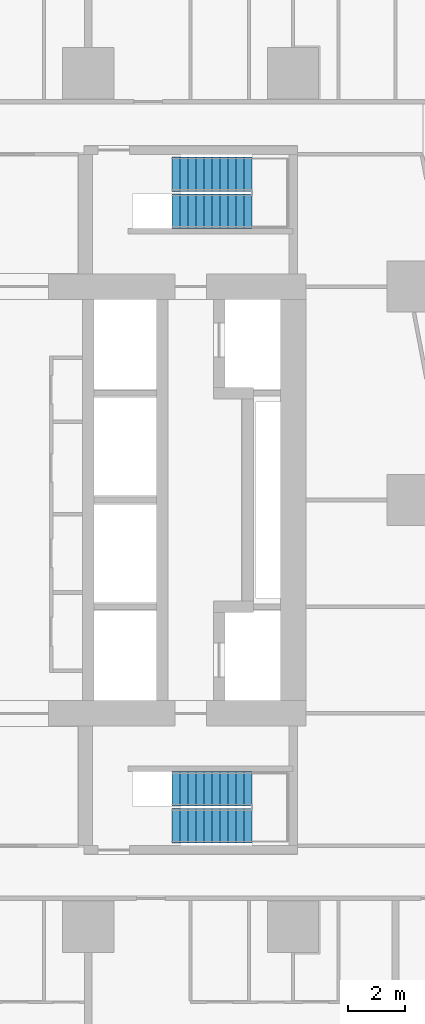
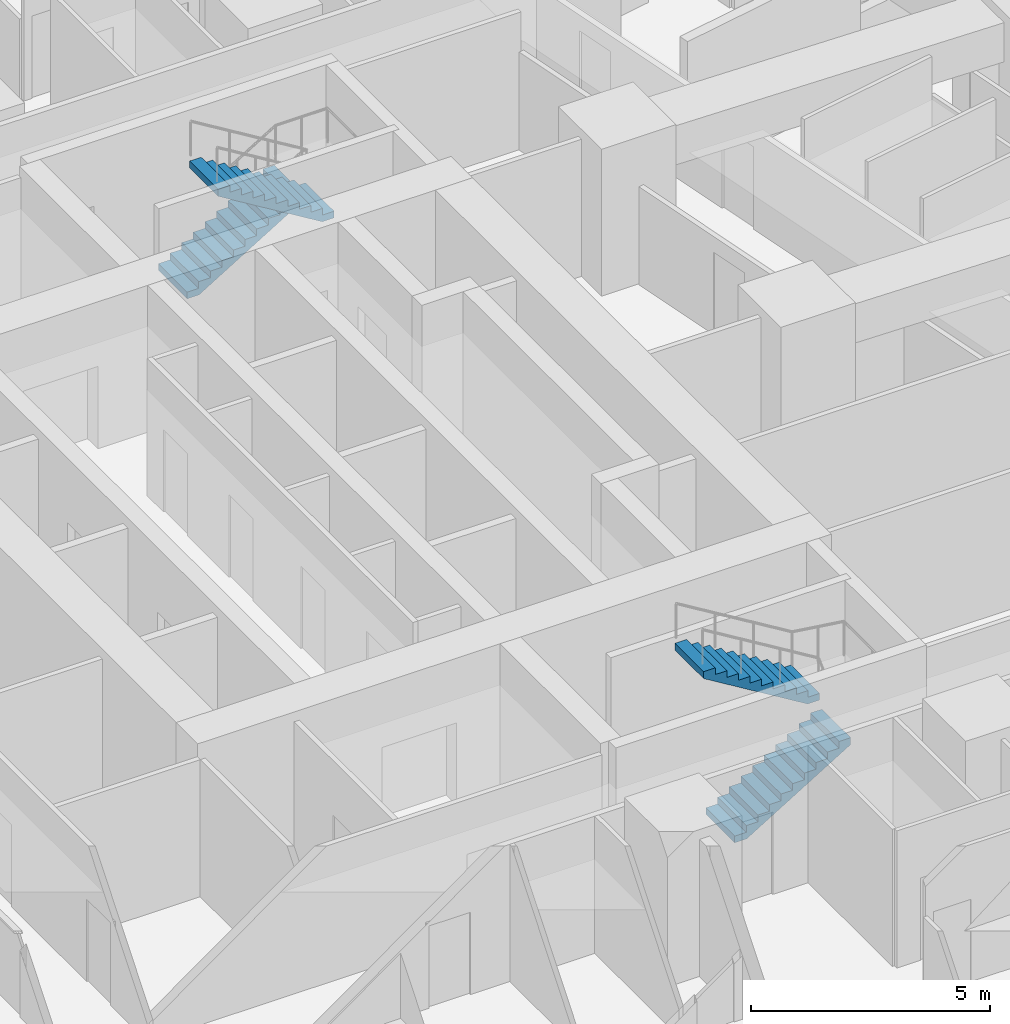
# One storey, part 16 of 18: 4 stair flights, 2 elements without a shape of their own.
"""IFC4 building model written with IfcOpenShell, lengths in metres."""

from ifc_helpers import new_model, si_unit, direction, frame, origin, place, context, subcontext, project, spatial, triangles, material, type_object, element, aggregate, save


model = new_model("IFC4")

# Units and contexts
model_context = context("Model", 3, precision=1e-05, world=origin(), true_north=direction((0.0, 1.0)))
body_context = subcontext(model_context, "Body", "Model", "MODEL_VIEW")
ifc_project = project(units=[si_unit("LENGTHUNIT", "METRE"), si_unit("AREAUNIT", "SQUARE_METRE"), si_unit("VOLUMEUNIT", "CUBIC_METRE"), si_unit("PLANEANGLEUNIT", "RADIAN"), si_unit("MASSUNIT", "GRAM", prefix="KILO")], contexts=[model_context])

# Site, building, storey
site_placement = place(None, origin())
site = spatial("IfcSite", under=ifc_project, at=site_placement, CompositionType="ELEMENT")
building_placement = place(site_placement, origin())
building = spatial("IfcBuilding", under=site, at=building_placement, Name="Sheger Commons Tower", CompositionType="ELEMENT")
storey_placement = place(building_placement, frame((0.0, 0.0, 20.0)))
storey = spatial("IfcBuildingStorey", under=building, at=storey_placement, Name="L04", CompositionType="ELEMENT", Elevation=20.0)

# Stair, stair flights
ifc_material_1 = material(Name="Concrete C35/45", Category="concrete")
stair_type = type_object("IfcStairType", Name="HALF-TURN STAIR 1200 RISE 3750", PredefinedType="HALF_TURN_STAIR", material=ifc_material_1)
stair_1_placement = place(storey_placement, origin())
stair_1 = element("IfcStair", 1, at=stair_1_placement, inside=storey, type_object=stair_type, Name="Stair S1 L04", PredefinedType="HALF_TURN_STAIR")
ifc_material_2 = material(Name="Concrete C35/45", Category="concrete")
stair_flight_type = type_object("IfcStairFlightType", Name="STAIR FLIGHT 1200 11 RISERS OF 170", PredefinedType="STRAIGHT", material=ifc_material_2)
stair_flight_1_placement = place(storey_placement, frame((24.550048828125, 11.050048828125, 0.0), z_axis=(0.0, 0.0, 1.0), x_axis=(1.0, 0.0, 0.0)))
stair_flight_1 = element("IfcStairFlight", 2, at=stair_flight_1_placement, type_object=stair_flight_type, Name="S1 flight 1", NumberOfRisers=11, NumberOfTreads=10, PredefinedType="STRAIGHT", RiserHeight=0.170454545, TreadLength=0.28, context=body_context, shape_type="Tessellation", body=[
    triangles([(0.0, 0.5999755859375, 0.0), (0.0, 0.5999755859375, 0.17041015625), (0.280029296875, 0.5999755859375, 0.17041015625), (0.280029296875, 0.5999755859375, 0.3408203125), (0.56005859375, 0.5999755859375, 0.3408203125), (0.56005859375, 0.5999755859375, 0.511474609375), (0.840087890625, 0.5999755859375, 0.511474609375), (0.840087890625, 0.5999755859375, 0.681884765625), (1.1201171875, 0.5999755859375, 0.681884765625), (1.1201171875, 0.5999755859375, 0.852294921875), (1.39990234375, 0.5999755859375, 0.852294921875), (1.39990234375, 0.5999755859375, 1.022705078125), (1.679931640625, 0.5999755859375, 1.022705078125), (1.679931640625, 0.5999755859375, 1.193115234375), (1.9599609375, 0.5999755859375, 1.193115234375), (1.9599609375, 0.5999755859375, 1.363525390625), (2.239990234375, 0.5999755859375, 1.363525390625), (2.239990234375, 0.5999755859375, 1.5341796875), (2.52001953125, 0.5999755859375, 1.5341796875), (2.52001953125, 0.5999755859375, 1.70458984375), (2.800048828125, 0.5999755859375, 1.70458984375), (2.800048828125, 0.5999755859375, 1.529052734375), (0.288330078125, 0.5999755859375, 0.0), (0.0, -0.5999755859375, 0.0), (0.0, -0.5999755859375, 0.17041015625), (0.280029296875, -0.5999755859375, 0.17041015625), (0.280029296875, -0.5999755859375, 0.3408203125), (0.56005859375, -0.5999755859375, 0.3408203125), (0.56005859375, -0.5999755859375, 0.511474609375), (0.840087890625, -0.5999755859375, 0.511474609375), (0.840087890625, -0.5999755859375, 0.681884765625), (1.1201171875, -0.5999755859375, 0.681884765625), (1.1201171875, -0.5999755859375, 0.852294921875), (1.39990234375, -0.5999755859375, 0.852294921875), (1.39990234375, -0.5999755859375, 1.022705078125), (1.679931640625, -0.5999755859375, 1.022705078125), (1.679931640625, -0.5999755859375, 1.193115234375), (1.9599609375, -0.5999755859375, 1.193115234375), (1.9599609375, -0.5999755859375, 1.363525390625), (2.239990234375, -0.5999755859375, 1.363525390625), (2.239990234375, -0.5999755859375, 1.5341796875), (2.52001953125, -0.5999755859375, 1.5341796875), (2.52001953125, -0.5999755859375, 1.70458984375), (2.800048828125, -0.5999755859375, 1.70458984375), (2.800048828125, -0.5999755859375, 1.529052734375), (0.288330078125, -0.5999755859375, 0.0), (0.0, 0.0, 0.085205078125), (0.1400146484375, 0.0, 0.17041015625), (0.280029296875, 0.0, 0.255615234375), (0.4200439453125, 0.0, 0.3408203125), (0.56005859375, 0.0, 0.4261474609375), (0.7000732421875, 0.0, 0.511474609375), (0.840087890625, 0.0, 0.5966796875), (0.9801025390625, 0.0, 0.681884765625), (1.1201171875, 0.0, 0.76708984375), (1.260009765625, 0.0, 0.852294921875), (1.39990234375, 0.0, 0.9375), (1.5399169921875, 0.0, 1.022705078125), (1.679931640625, 0.0, 1.10791015625), (1.8199462890625, 0.0, 1.193115234375), (1.9599609375, 0.0, 1.2783203125), (2.0999755859375, 0.0, 1.363525390625), (2.239990234375, 0.0, 1.4488525390625), (2.3800048828125, 0.0, 1.5341796875), (2.52001953125, 0.0, 1.619384765625), (2.6600341796875, 0.0, 1.70458984375), (2.800048828125, 0.0, 1.6168212890625), (1.544189453125, 0.0, 0.7645263671875), (0.1441650390625, 0.0, 0.0)], [[1, 22, 23], [24, 46, 45], [22, 20, 21], [45, 44, 43], [22, 19, 20], [45, 43, 42], [22, 18, 19], [45, 42, 41], [22, 17, 18], [45, 41, 40], [17, 15, 16], [40, 39, 38], [22, 15, 17], [45, 40, 38], [15, 13, 14], [38, 37, 36], [22, 13, 15], [45, 38, 36], [13, 11, 12], [36, 35, 34], [22, 11, 13], [45, 36, 34], [11, 9, 10], [34, 33, 32], [22, 9, 11], [45, 34, 32], [9, 7, 8], [32, 31, 30], [22, 7, 9], [45, 32, 30], [7, 5, 6], [30, 29, 28], [22, 5, 7], [45, 30, 28], [5, 3, 4], [28, 27, 26], [22, 3, 5], [45, 28, 26], [1, 3, 22], [24, 45, 26], [3, 1, 2], [26, 25, 24], [1, 47, 2], [2, 47, 25], [25, 47, 24], [24, 47, 1], [2, 48, 3], [3, 48, 26], [26, 48, 25], [25, 48, 2], [3, 49, 4], [4, 49, 27], [27, 49, 26], [26, 49, 3], [4, 50, 5], [5, 50, 28], [28, 50, 27], [27, 50, 4], [5, 51, 6], [6, 51, 29], [29, 51, 28], [28, 51, 5], [6, 52, 7], [7, 52, 30], [30, 52, 29], [29, 52, 6], [7, 53, 8], [8, 53, 31], [31, 53, 30], [30, 53, 7], [8, 54, 9], [9, 54, 32], [32, 54, 31], [31, 54, 8], [9, 55, 10], [10, 55, 33], [33, 55, 32], [32, 55, 9], [10, 56, 11], [11, 56, 34], [34, 56, 33], [33, 56, 10], [11, 57, 12], [12, 57, 35], [35, 57, 34], [34, 57, 11], [12, 58, 13], [13, 58, 36], [36, 58, 35], [35, 58, 12], [13, 59, 14], [14, 59, 37], [37, 59, 36], [36, 59, 13], [14, 60, 15], [15, 60, 38], [38, 60, 37], [37, 60, 14], [15, 61, 16], [16, 61, 39], [39, 61, 38], [38, 61, 15], [16, 62, 17], [17, 62, 40], [40, 62, 39], [39, 62, 16], [17, 63, 18], [18, 63, 41], [41, 63, 40], [40, 63, 17], [18, 64, 19], [19, 64, 42], [42, 64, 41], [41, 64, 18], [19, 65, 20], [20, 65, 43], [43, 65, 42], [42, 65, 19], [20, 66, 21], [21, 66, 44], [44, 66, 43], [43, 66, 20], [21, 67, 22], [22, 67, 45], [45, 67, 44], [44, 67, 21], [22, 68, 23], [23, 68, 46], [46, 68, 45], [45, 68, 22], [23, 69, 1], [1, 69, 24], [24, 69, 46], [46, 69, 23]], closed=True),
])
stair_flight_2_placement = place(storey_placement, frame((27.35009765625, 12.35009765625, 1.875), z_axis=(0.0, 0.0, 1.0), x_axis=(-1.0, 0.0, 0.0)))
stair_flight_2 = element("IfcStairFlight", 3, at=stair_flight_2_placement, type_object=stair_flight_type, Name="S1 flight 2", NumberOfRisers=11, NumberOfTreads=10, PredefinedType="STRAIGHT", RiserHeight=0.170454545, TreadLength=0.28, context=body_context, shape_type="Tessellation", body=[
    triangles([(0.0, 0.5999755859375, 0.0), (0.0, 0.5999755859375, 0.17041015625), (0.280029296875, 0.5999755859375, 0.17041015625), (0.280029296875, 0.5999755859375, 0.3408203125), (0.56005859375, 0.5999755859375, 0.3408203125), (0.56005859375, 0.5999755859375, 0.511474609375), (0.840087890625, 0.5999755859375, 0.511474609375), (0.840087890625, 0.5999755859375, 0.681884765625), (1.1201171875, 0.5999755859375, 0.681884765625), (1.1201171875, 0.5999755859375, 0.852294921875), (1.39990234375, 0.5999755859375, 0.852294921875), (1.39990234375, 0.5999755859375, 1.022705078125), (1.679931640625, 0.5999755859375, 1.022705078125), (1.679931640625, 0.5999755859375, 1.193115234375), (1.9599609375, 0.5999755859375, 1.193115234375), (1.9599609375, 0.5999755859375, 1.363525390625), (2.239990234375, 0.5999755859375, 1.363525390625), (2.239990234375, 0.5999755859375, 1.5341796875), (2.52001953125, 0.5999755859375, 1.5341796875), (2.52001953125, 0.5999755859375, 1.70458984375), (2.800048828125, 0.5999755859375, 1.70458984375), (2.800048828125, 0.5999755859375, 1.529052734375), (0.288330078125, 0.5999755859375, 0.0), (0.0, -0.5999755859375, 0.0), (0.0, -0.5999755859375, 0.17041015625), (0.280029296875, -0.5999755859375, 0.17041015625), (0.280029296875, -0.5999755859375, 0.3408203125), (0.56005859375, -0.5999755859375, 0.3408203125), (0.56005859375, -0.5999755859375, 0.511474609375), (0.840087890625, -0.5999755859375, 0.511474609375), (0.840087890625, -0.5999755859375, 0.681884765625), (1.1201171875, -0.5999755859375, 0.681884765625), (1.1201171875, -0.5999755859375, 0.852294921875), (1.39990234375, -0.5999755859375, 0.852294921875), (1.39990234375, -0.5999755859375, 1.022705078125), (1.679931640625, -0.5999755859375, 1.022705078125), (1.679931640625, -0.5999755859375, 1.193115234375), (1.9599609375, -0.5999755859375, 1.193115234375), (1.9599609375, -0.5999755859375, 1.363525390625), (2.239990234375, -0.5999755859375, 1.363525390625), (2.239990234375, -0.5999755859375, 1.5341796875), (2.52001953125, -0.5999755859375, 1.5341796875), (2.52001953125, -0.5999755859375, 1.70458984375), (2.800048828125, -0.5999755859375, 1.70458984375), (2.800048828125, -0.5999755859375, 1.529052734375), (0.288330078125, -0.5999755859375, 0.0), (0.0, 0.0, 0.085205078125), (0.1400146484375, 0.0, 0.17041015625), (0.280029296875, 0.0, 0.255615234375), (0.4200439453125, 0.0, 0.3408203125), (0.56005859375, 0.0, 0.4261474609375), (0.7000732421875, 0.0, 0.511474609375), (0.840087890625, 0.0, 0.5966796875), (0.9801025390625, 0.0, 0.681884765625), (1.1201171875, 0.0, 0.76708984375), (1.260009765625, 0.0, 0.852294921875), (1.39990234375, 0.0, 0.9375), (1.5399169921875, 0.0, 1.022705078125), (1.679931640625, 0.0, 1.10791015625), (1.8199462890625, 0.0, 1.193115234375), (1.9599609375, 0.0, 1.2783203125), (2.0999755859375, 0.0, 1.363525390625), (2.239990234375, 0.0, 1.4488525390625), (2.3800048828125, 0.0, 1.5341796875), (2.52001953125, 0.0, 1.619384765625), (2.6600341796875, 0.0, 1.70458984375), (2.800048828125, 0.0, 1.6168212890625), (1.544189453125, 0.0, 0.7645263671875), (0.1441650390625, 0.0, 0.0)], [[1, 22, 23], [24, 46, 45], [22, 20, 21], [45, 44, 43], [22, 19, 20], [45, 43, 42], [22, 18, 19], [45, 42, 41], [22, 17, 18], [45, 41, 40], [17, 15, 16], [40, 39, 38], [22, 15, 17], [45, 40, 38], [15, 13, 14], [38, 37, 36], [22, 13, 15], [45, 38, 36], [13, 11, 12], [36, 35, 34], [22, 11, 13], [45, 36, 34], [11, 9, 10], [34, 33, 32], [22, 9, 11], [45, 34, 32], [9, 7, 8], [32, 31, 30], [22, 7, 9], [45, 32, 30], [7, 5, 6], [30, 29, 28], [22, 5, 7], [45, 30, 28], [5, 3, 4], [28, 27, 26], [22, 3, 5], [45, 28, 26], [1, 3, 22], [24, 45, 26], [3, 1, 2], [26, 25, 24], [1, 47, 2], [2, 47, 25], [25, 47, 24], [24, 47, 1], [2, 48, 3], [3, 48, 26], [26, 48, 25], [25, 48, 2], [3, 49, 4], [4, 49, 27], [27, 49, 26], [26, 49, 3], [4, 50, 5], [5, 50, 28], [28, 50, 27], [27, 50, 4], [5, 51, 6], [6, 51, 29], [29, 51, 28], [28, 51, 5], [6, 52, 7], [7, 52, 30], [30, 52, 29], [29, 52, 6], [7, 53, 8], [8, 53, 31], [31, 53, 30], [30, 53, 7], [8, 54, 9], [9, 54, 32], [32, 54, 31], [31, 54, 8], [9, 55, 10], [10, 55, 33], [33, 55, 32], [32, 55, 9], [10, 56, 11], [11, 56, 34], [34, 56, 33], [33, 56, 10], [11, 57, 12], [12, 57, 35], [35, 57, 34], [34, 57, 11], [12, 58, 13], [13, 58, 36], [36, 58, 35], [35, 58, 12], [13, 59, 14], [14, 59, 37], [37, 59, 36], [36, 59, 13], [14, 60, 15], [15, 60, 38], [38, 60, 37], [37, 60, 14], [15, 61, 16], [16, 61, 39], [39, 61, 38], [38, 61, 15], [16, 62, 17], [17, 62, 40], [40, 62, 39], [39, 62, 16], [17, 63, 18], [18, 63, 41], [41, 63, 40], [40, 63, 17], [18, 64, 19], [19, 64, 42], [42, 64, 41], [41, 64, 18], [19, 65, 20], [20, 65, 43], [43, 65, 42], [42, 65, 19], [20, 66, 21], [21, 66, 44], [44, 66, 43], [43, 66, 20], [21, 67, 22], [22, 67, 45], [45, 67, 44], [44, 67, 21], [22, 68, 23], [23, 68, 46], [46, 68, 45], [45, 68, 22], [23, 69, 1], [1, 69, 24], [24, 69, 46], [46, 69, 23]], closed=True),
])
aggregate(stair_1, [stair_flight_1, stair_flight_2])

stair_2_placement = place(storey_placement, origin())
stair_2 = element("IfcStair", 4, at=stair_2_placement, inside=storey, type_object=stair_type, Name="Stair S2 L04", PredefinedType="HALF_TURN_STAIR")
stair_flight_3_placement = place(storey_placement, frame((24.550048828125, 33.949951171875, 0.0), z_axis=(0.0, 0.0, 1.0), x_axis=(1.0, 0.0, 0.0)))
stair_flight_3 = element("IfcStairFlight", 5, at=stair_flight_3_placement, type_object=stair_flight_type, Name="S2 flight 1", NumberOfRisers=11, NumberOfTreads=10, PredefinedType="STRAIGHT", RiserHeight=0.170454545, TreadLength=0.28, context=body_context, shape_type="Tessellation", body=[
    triangles([(0.0, 0.5999755859375, 0.0), (0.0, 0.5999755859375, 0.17041015625), (0.280029296875, 0.5999755859375, 0.17041015625), (0.280029296875, 0.5999755859375, 0.3408203125), (0.56005859375, 0.5999755859375, 0.3408203125), (0.56005859375, 0.5999755859375, 0.511474609375), (0.840087890625, 0.5999755859375, 0.511474609375), (0.840087890625, 0.5999755859375, 0.681884765625), (1.1201171875, 0.5999755859375, 0.681884765625), (1.1201171875, 0.5999755859375, 0.852294921875), (1.39990234375, 0.5999755859375, 0.852294921875), (1.39990234375, 0.5999755859375, 1.022705078125), (1.679931640625, 0.5999755859375, 1.022705078125), (1.679931640625, 0.5999755859375, 1.193115234375), (1.9599609375, 0.5999755859375, 1.193115234375), (1.9599609375, 0.5999755859375, 1.363525390625), (2.239990234375, 0.5999755859375, 1.363525390625), (2.239990234375, 0.5999755859375, 1.5341796875), (2.52001953125, 0.5999755859375, 1.5341796875), (2.52001953125, 0.5999755859375, 1.70458984375), (2.800048828125, 0.5999755859375, 1.70458984375), (2.800048828125, 0.5999755859375, 1.529052734375), (0.288330078125, 0.5999755859375, 0.0), (0.0, -0.5999755859375, 0.0), (0.0, -0.5999755859375, 0.17041015625), (0.280029296875, -0.5999755859375, 0.17041015625), (0.280029296875, -0.5999755859375, 0.3408203125), (0.56005859375, -0.5999755859375, 0.3408203125), (0.56005859375, -0.5999755859375, 0.511474609375), (0.840087890625, -0.5999755859375, 0.511474609375), (0.840087890625, -0.5999755859375, 0.681884765625), (1.1201171875, -0.5999755859375, 0.681884765625), (1.1201171875, -0.5999755859375, 0.852294921875), (1.39990234375, -0.5999755859375, 0.852294921875), (1.39990234375, -0.5999755859375, 1.022705078125), (1.679931640625, -0.5999755859375, 1.022705078125), (1.679931640625, -0.5999755859375, 1.193115234375), (1.9599609375, -0.5999755859375, 1.193115234375), (1.9599609375, -0.5999755859375, 1.363525390625), (2.239990234375, -0.5999755859375, 1.363525390625), (2.239990234375, -0.5999755859375, 1.5341796875), (2.52001953125, -0.5999755859375, 1.5341796875), (2.52001953125, -0.5999755859375, 1.70458984375), (2.800048828125, -0.5999755859375, 1.70458984375), (2.800048828125, -0.5999755859375, 1.529052734375), (0.288330078125, -0.5999755859375, 0.0), (0.0, 0.0, 0.085205078125), (0.1400146484375, 0.0, 0.17041015625), (0.280029296875, 0.0, 0.255615234375), (0.4200439453125, 0.0, 0.3408203125), (0.56005859375, 0.0, 0.4261474609375), (0.7000732421875, 0.0, 0.511474609375), (0.840087890625, 0.0, 0.5966796875), (0.9801025390625, 0.0, 0.681884765625), (1.1201171875, 0.0, 0.76708984375), (1.260009765625, 0.0, 0.852294921875), (1.39990234375, 0.0, 0.9375), (1.5399169921875, 0.0, 1.022705078125), (1.679931640625, 0.0, 1.10791015625), (1.8199462890625, 0.0, 1.193115234375), (1.9599609375, 0.0, 1.2783203125), (2.0999755859375, 0.0, 1.363525390625), (2.239990234375, 0.0, 1.4488525390625), (2.3800048828125, 0.0, 1.5341796875), (2.52001953125, 0.0, 1.619384765625), (2.6600341796875, 0.0, 1.70458984375), (2.800048828125, 0.0, 1.6168212890625), (1.544189453125, 0.0, 0.7645263671875), (0.1441650390625, 0.0, 0.0)], [[1, 22, 23], [24, 46, 45], [22, 20, 21], [45, 44, 43], [22, 19, 20], [45, 43, 42], [22, 18, 19], [45, 42, 41], [22, 17, 18], [45, 41, 40], [17, 15, 16], [40, 39, 38], [22, 15, 17], [45, 40, 38], [15, 13, 14], [38, 37, 36], [22, 13, 15], [45, 38, 36], [13, 11, 12], [36, 35, 34], [22, 11, 13], [45, 36, 34], [11, 9, 10], [34, 33, 32], [22, 9, 11], [45, 34, 32], [9, 7, 8], [32, 31, 30], [22, 7, 9], [45, 32, 30], [7, 5, 6], [30, 29, 28], [22, 5, 7], [45, 30, 28], [5, 3, 4], [28, 27, 26], [22, 3, 5], [45, 28, 26], [1, 3, 22], [24, 45, 26], [3, 1, 2], [26, 25, 24], [1, 47, 2], [2, 47, 25], [25, 47, 24], [24, 47, 1], [2, 48, 3], [3, 48, 26], [26, 48, 25], [25, 48, 2], [3, 49, 4], [4, 49, 27], [27, 49, 26], [26, 49, 3], [4, 50, 5], [5, 50, 28], [28, 50, 27], [27, 50, 4], [5, 51, 6], [6, 51, 29], [29, 51, 28], [28, 51, 5], [6, 52, 7], [7, 52, 30], [30, 52, 29], [29, 52, 6], [7, 53, 8], [8, 53, 31], [31, 53, 30], [30, 53, 7], [8, 54, 9], [9, 54, 32], [32, 54, 31], [31, 54, 8], [9, 55, 10], [10, 55, 33], [33, 55, 32], [32, 55, 9], [10, 56, 11], [11, 56, 34], [34, 56, 33], [33, 56, 10], [11, 57, 12], [12, 57, 35], [35, 57, 34], [34, 57, 11], [12, 58, 13], [13, 58, 36], [36, 58, 35], [35, 58, 12], [13, 59, 14], [14, 59, 37], [37, 59, 36], [36, 59, 13], [14, 60, 15], [15, 60, 38], [38, 60, 37], [37, 60, 14], [15, 61, 16], [16, 61, 39], [39, 61, 38], [38, 61, 15], [16, 62, 17], [17, 62, 40], [40, 62, 39], [39, 62, 16], [17, 63, 18], [18, 63, 41], [41, 63, 40], [40, 63, 17], [18, 64, 19], [19, 64, 42], [42, 64, 41], [41, 64, 18], [19, 65, 20], [20, 65, 43], [43, 65, 42], [42, 65, 19], [20, 66, 21], [21, 66, 44], [44, 66, 43], [43, 66, 20], [21, 67, 22], [22, 67, 45], [45, 67, 44], [44, 67, 21], [22, 68, 23], [23, 68, 46], [46, 68, 45], [45, 68, 22], [23, 69, 1], [1, 69, 24], [24, 69, 46], [46, 69, 23]], closed=True),
])
stair_flight_4_placement = place(storey_placement, frame((27.35009765625, 32.64990234375, 1.875), z_axis=(0.0, 0.0, 1.0), x_axis=(-1.0, 0.0, 0.0)))
stair_flight_4 = element("IfcStairFlight", 6, at=stair_flight_4_placement, type_object=stair_flight_type, Name="S2 flight 2", NumberOfRisers=11, NumberOfTreads=10, PredefinedType="STRAIGHT", RiserHeight=0.170454545, TreadLength=0.28, context=body_context, shape_type="Tessellation", body=[
    triangles([(0.0, 0.5999755859375, 0.0), (0.0, 0.5999755859375, 0.17041015625), (0.280029296875, 0.5999755859375, 0.17041015625), (0.280029296875, 0.5999755859375, 0.3408203125), (0.56005859375, 0.5999755859375, 0.3408203125), (0.56005859375, 0.5999755859375, 0.511474609375), (0.840087890625, 0.5999755859375, 0.511474609375), (0.840087890625, 0.5999755859375, 0.681884765625), (1.1201171875, 0.5999755859375, 0.681884765625), (1.1201171875, 0.5999755859375, 0.852294921875), (1.39990234375, 0.5999755859375, 0.852294921875), (1.39990234375, 0.5999755859375, 1.022705078125), (1.679931640625, 0.5999755859375, 1.022705078125), (1.679931640625, 0.5999755859375, 1.193115234375), (1.9599609375, 0.5999755859375, 1.193115234375), (1.9599609375, 0.5999755859375, 1.363525390625), (2.239990234375, 0.5999755859375, 1.363525390625), (2.239990234375, 0.5999755859375, 1.5341796875), (2.52001953125, 0.5999755859375, 1.5341796875), (2.52001953125, 0.5999755859375, 1.70458984375), (2.800048828125, 0.5999755859375, 1.70458984375), (2.800048828125, 0.5999755859375, 1.529052734375), (0.288330078125, 0.5999755859375, 0.0), (0.0, -0.5999755859375, 0.0), (0.0, -0.5999755859375, 0.17041015625), (0.280029296875, -0.5999755859375, 0.17041015625), (0.280029296875, -0.5999755859375, 0.3408203125), (0.56005859375, -0.5999755859375, 0.3408203125), (0.56005859375, -0.5999755859375, 0.511474609375), (0.840087890625, -0.5999755859375, 0.511474609375), (0.840087890625, -0.5999755859375, 0.681884765625), (1.1201171875, -0.5999755859375, 0.681884765625), (1.1201171875, -0.5999755859375, 0.852294921875), (1.39990234375, -0.5999755859375, 0.852294921875), (1.39990234375, -0.5999755859375, 1.022705078125), (1.679931640625, -0.5999755859375, 1.022705078125), (1.679931640625, -0.5999755859375, 1.193115234375), (1.9599609375, -0.5999755859375, 1.193115234375), (1.9599609375, -0.5999755859375, 1.363525390625), (2.239990234375, -0.5999755859375, 1.363525390625), (2.239990234375, -0.5999755859375, 1.5341796875), (2.52001953125, -0.5999755859375, 1.5341796875), (2.52001953125, -0.5999755859375, 1.70458984375), (2.800048828125, -0.5999755859375, 1.70458984375), (2.800048828125, -0.5999755859375, 1.529052734375), (0.288330078125, -0.5999755859375, 0.0), (0.0, 0.0, 0.085205078125), (0.1400146484375, 0.0, 0.17041015625), (0.280029296875, 0.0, 0.255615234375), (0.4200439453125, 0.0, 0.3408203125), (0.56005859375, 0.0, 0.4261474609375), (0.7000732421875, 0.0, 0.511474609375), (0.840087890625, 0.0, 0.5966796875), (0.9801025390625, 0.0, 0.681884765625), (1.1201171875, 0.0, 0.76708984375), (1.260009765625, 0.0, 0.852294921875), (1.39990234375, 0.0, 0.9375), (1.5399169921875, 0.0, 1.022705078125), (1.679931640625, 0.0, 1.10791015625), (1.8199462890625, 0.0, 1.193115234375), (1.9599609375, 0.0, 1.2783203125), (2.0999755859375, 0.0, 1.363525390625), (2.239990234375, 0.0, 1.4488525390625), (2.3800048828125, 0.0, 1.5341796875), (2.52001953125, 0.0, 1.619384765625), (2.6600341796875, 0.0, 1.70458984375), (2.800048828125, 0.0, 1.6168212890625), (1.544189453125, 0.0, 0.7645263671875), (0.1441650390625, 0.0, 0.0)], [[1, 22, 23], [24, 46, 45], [22, 20, 21], [45, 44, 43], [22, 19, 20], [45, 43, 42], [22, 18, 19], [45, 42, 41], [22, 17, 18], [45, 41, 40], [17, 15, 16], [40, 39, 38], [22, 15, 17], [45, 40, 38], [15, 13, 14], [38, 37, 36], [22, 13, 15], [45, 38, 36], [13, 11, 12], [36, 35, 34], [22, 11, 13], [45, 36, 34], [11, 9, 10], [34, 33, 32], [22, 9, 11], [45, 34, 32], [9, 7, 8], [32, 31, 30], [22, 7, 9], [45, 32, 30], [7, 5, 6], [30, 29, 28], [22, 5, 7], [45, 30, 28], [5, 3, 4], [28, 27, 26], [22, 3, 5], [45, 28, 26], [1, 3, 22], [24, 45, 26], [3, 1, 2], [26, 25, 24], [1, 47, 2], [2, 47, 25], [25, 47, 24], [24, 47, 1], [2, 48, 3], [3, 48, 26], [26, 48, 25], [25, 48, 2], [3, 49, 4], [4, 49, 27], [27, 49, 26], [26, 49, 3], [4, 50, 5], [5, 50, 28], [28, 50, 27], [27, 50, 4], [5, 51, 6], [6, 51, 29], [29, 51, 28], [28, 51, 5], [6, 52, 7], [7, 52, 30], [30, 52, 29], [29, 52, 6], [7, 53, 8], [8, 53, 31], [31, 53, 30], [30, 53, 7], [8, 54, 9], [9, 54, 32], [32, 54, 31], [31, 54, 8], [9, 55, 10], [10, 55, 33], [33, 55, 32], [32, 55, 9], [10, 56, 11], [11, 56, 34], [34, 56, 33], [33, 56, 10], [11, 57, 12], [12, 57, 35], [35, 57, 34], [34, 57, 11], [12, 58, 13], [13, 58, 36], [36, 58, 35], [35, 58, 12], [13, 59, 14], [14, 59, 37], [37, 59, 36], [36, 59, 13], [14, 60, 15], [15, 60, 38], [38, 60, 37], [37, 60, 14], [15, 61, 16], [16, 61, 39], [39, 61, 38], [38, 61, 15], [16, 62, 17], [17, 62, 40], [40, 62, 39], [39, 62, 16], [17, 63, 18], [18, 63, 41], [41, 63, 40], [40, 63, 17], [18, 64, 19], [19, 64, 42], [42, 64, 41], [41, 64, 18], [19, 65, 20], [20, 65, 43], [43, 65, 42], [42, 65, 19], [20, 66, 21], [21, 66, 44], [44, 66, 43], [43, 66, 20], [21, 67, 22], [22, 67, 45], [45, 67, 44], [44, 67, 21], [22, 68, 23], [23, 68, 46], [46, 68, 45], [45, 68, 22], [23, 69, 1], [1, 69, 24], [24, 69, 46], [46, 69, 23]], closed=True),
])
aggregate(stair_2, [stair_flight_3, stair_flight_4])

save(model, "model.ifc")
